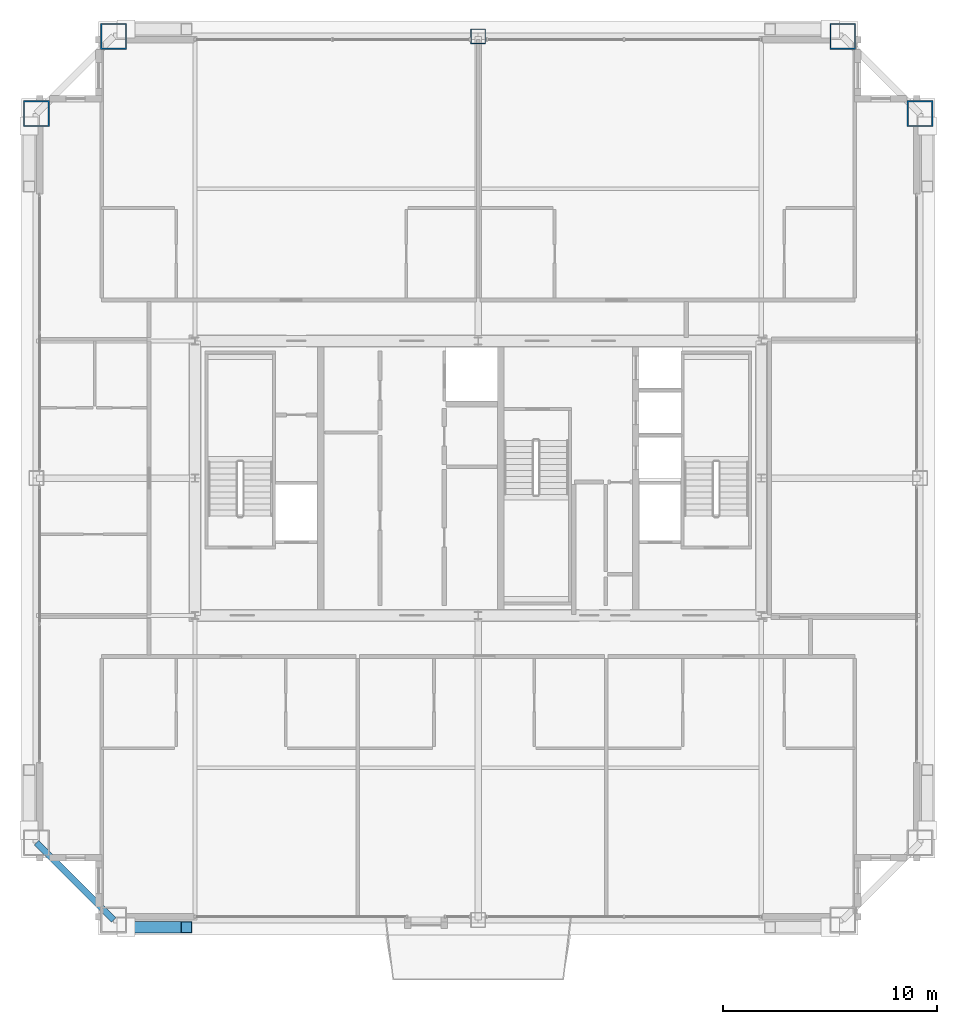
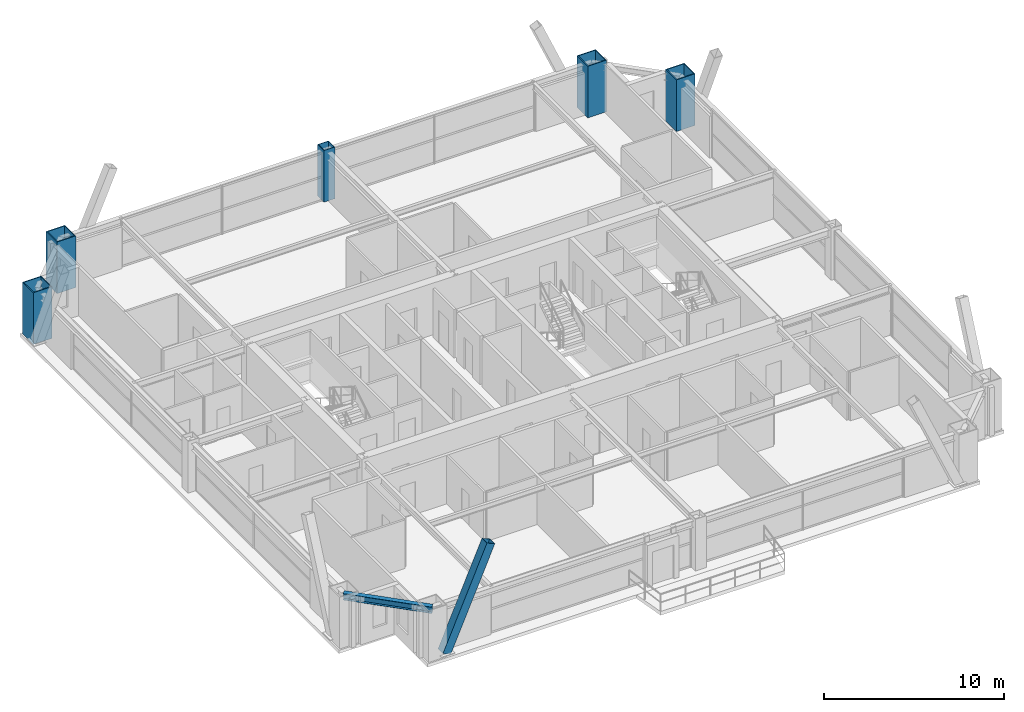
# One storey, part 3 of 35: 5 columns, 1 beam, 1 member.
"""IFC4 building model written with IfcOpenShell, lengths in metres."""

import ifcopenshell
import ifcopenshell.guid

model = None  # the IFC model being written
_history = None  # IfcOwnerHistory: only IFC2X3 demands one
_inside = {}  # id of a spatial element -> (the spatial element, [elements in it])
_under = {}  # id of a project, library or spatial element -> (it, [spatial elements below it])
_declared = {}  # id of a project -> (the project, [libraries it declares])
_typed = {}  # id of a type object -> (the type object, [elements of that type])
_made_of = {}  # id of a material, layer set ... -> (it, [elements and type objects made of it])


def new_model(schema):
    """Start an empty IFC model of exactly this schema.

    Asked for "IFC4X3", IfcOpenShell would pick the latest addendum, in which some entities
    have other attributes; the version numbers below select the first issue.
    IFC2X3 requires an IfcOwnerHistory on every rooted entity: one is made here for all.
    """
    global model, _history
    if schema == "IFC4X3":
        model = ifcopenshell.file(schema_version=(4, 3, 0, 0))
    else:
        model = ifcopenshell.file(schema=schema)
    _inside.clear()
    _under.clear()
    _declared.clear()
    _typed.clear()
    _made_of.clear()
    _history = None
    if model.schema == "IFC2X3":
        org = make("IfcOrganization", Name="unknown")
        user = make(
            "IfcPersonAndOrganization",
            ThePerson=make("IfcPerson", FamilyName="unknown"),
            TheOrganization=org,
        )
        app = make(
            "IfcApplication",
            ApplicationDeveloper=org,
            Version="unknown",
            ApplicationFullName="unknown",
            ApplicationIdentifier="unknown",
        )
        _history = make(
            "IfcOwnerHistory",
            OwningUser=user,
            OwningApplication=app,
            ChangeAction="ADDED",
            CreationDate=0,
        )
    return model


def make(cls, **values):
    """One entity of the class cls with the attributes given. An attribute that is None is left unset."""
    return model.create_entity(
        cls, **{name: value for name, value in values.items() if value is not None}
    )


def rooted(cls, **values):
    """An entity with a GlobalId (a new one), such as an element, a storey or a relation."""
    return make(cls, GlobalId=ifcopenshell.guid.new(), OwnerHistory=_history, **values)


def si_unit(unit_type, name, prefix=None):
    """IfcSIUnit, for example si_unit("LENGTHUNIT", "METRE", prefix="MILLI")."""
    return make("IfcSIUnit", UnitType=unit_type, Prefix=prefix, Name=name)


def assignment(units):
    """IfcUnitAssignment: the units of a project."""
    return None if units is None else make("IfcUnitAssignment", Units=units)


def point(xyz):
    """IfcCartesianPoint."""
    return None if xyz is None else make("IfcCartesianPoint", Coordinates=xyz)


def direction(xyz):
    """IfcDirection."""
    return None if xyz is None else make("IfcDirection", DirectionRatios=xyz)


def frame(location, z_axis=None, x_axis=None):
    """IfcAxis2Placement3D, a coordinate frame: its origin and axes. An axis left out is left unset."""
    return make(
        "IfcAxis2Placement3D",
        Location=point(location),
        Axis=direction(z_axis),
        RefDirection=direction(x_axis),
    )


def frame_2d(location, x_axis=None):
    """IfcAxis2Placement2D, a coordinate frame in the plane: its origin and x axis."""
    return make(
        "IfcAxis2Placement2D", Location=point(location), RefDirection=direction(x_axis)
    )


def origin():
    """The frame at (0, 0, 0) with its axes left unset."""
    return frame((0.0, 0.0, 0.0))


def origin_2d():
    """The frame at (0, 0) in the plane with its x axis left unset."""
    return frame_2d((0.0, 0.0))


def place(relative_to, where):
    """IfcLocalPlacement: puts the frame where relative to a parent placement (None: the world)."""
    return make(
        "IfcLocalPlacement", PlacementRelTo=relative_to, RelativePlacement=where
    )


def context(
    kind, dimensions, precision=None, world=None, true_north=None, identifier=None
):
    """IfcGeometricRepresentationContext, for example the 3D "Model" context."""
    return make(
        "IfcGeometricRepresentationContext",
        ContextIdentifier=identifier,
        ContextType=kind,
        CoordinateSpaceDimension=dimensions,
        Precision=precision,
        WorldCoordinateSystem=world,
        TrueNorth=true_north,
    )


def subcontext(parent, identifier, kind, view, scale=None):
    """IfcGeometricRepresentationSubContext, for example "Body" below "Model"."""
    return make(
        "IfcGeometricRepresentationSubContext",
        ContextIdentifier=identifier,
        ContextType=kind,
        ParentContext=parent,
        TargetScale=scale,
        TargetView=view,
    )


def project(units=None, contexts=None):
    """IfcProject with its units and contexts."""
    return rooted(
        "IfcProject",
        Name="project",
        RepresentationContexts=contexts,
        UnitsInContext=assignment(units),
    )


def spatial(cls, under=None, at=None, **own):
    """A site, building, storey or space (cls), placed at a placement, below another one or the project."""
    s = rooted(cls, ObjectPlacement=at, **own)
    if under is not None:
        _under.setdefault(under.id(), (under, []))[1].append(s)
    return s


def profile(cls, at=None, kind="AREA", **sizes):
    """A parametric profile (cls). Its sizes go by their IFC names, for example OverallWidth=200.0."""
    return make(cls, ProfileType=kind, Position=at, **sizes)


def hollow_rectangle(**sizes):
    """IfcRectangleHollowProfileDef."""
    return profile("IfcRectangleHollowProfileDef", **sizes)


def i_section(**sizes):
    """IfcIShapeProfileDef."""
    return profile("IfcIShapeProfileDef", **sizes)


def extrude(swept, where, along, depth):
    """IfcExtrudedAreaSolid: the profile swept, set in the frame where, extruded along a direction by depth."""
    return make(
        "IfcExtrudedAreaSolid",
        SweptArea=swept,
        Position=where,
        ExtrudedDirection=direction(along),
        Depth=depth,
    )


def shape(context_of_items, identifier, shape_type, items):
    """IfcShapeRepresentation: the items that make up one representation, for example the "Body"."""
    return make(
        "IfcShapeRepresentation",
        ContextOfItems=context_of_items,
        RepresentationIdentifier=identifier,
        RepresentationType=shape_type,
        Items=items,
    )


def source(mapping_origin, context_of_items, identifier, shape_type, items):
    """IfcRepresentationMap: a shape defined once, which mapped items show again and again."""
    return make(
        "IfcRepresentationMap",
        MappingOrigin=mapping_origin,
        MappedRepresentation=shape(context_of_items, identifier, shape_type, items),
    )


def transform(
    local_origin,
    x_axis=None,
    y_axis=None,
    z_axis=None,
    scale=None,
    scale2=None,
    scale3=None,
    uniform=True,
):
    """IfcCartesianTransformationOperator3D, or its non-uniform kind. x_axis, y_axis, z_axis: its Axis1, 2, 3."""
    if uniform:
        return make(
            "IfcCartesianTransformationOperator3D",
            Axis1=direction(x_axis),
            Axis2=direction(y_axis),
            LocalOrigin=point(local_origin),
            Scale=scale,
            Axis3=direction(z_axis),
        )
    return make(
        "IfcCartesianTransformationOperator3DnonUniform",
        Axis1=direction(x_axis),
        Axis2=direction(y_axis),
        LocalOrigin=point(local_origin),
        Scale=scale,
        Axis3=direction(z_axis),
        Scale2=scale2,
        Scale3=scale3,
    )


def mapped(mapping_source, mapping_target):
    """IfcMappedItem: shows the shape of a source again, moved by a transform."""
    return make(
        "IfcMappedItem", MappingSource=mapping_source, MappingTarget=mapping_target
    )


def material(Name=None, Category=None):
    """IfcMaterial."""
    return make("IfcMaterial", Name=Name, Category=Category)


def material_profile(
    of_material, cross_section, Name=None, Category=None, Priority=None
):
    """IfcMaterialProfile: a cross section and its material."""
    return make(
        "IfcMaterialProfile",
        Name=Name,
        Material=of_material,
        Profile=cross_section,
        Priority=Priority,
        Category=Category,
    )


def profile_set(profiles, Name=None, composite=None):
    """IfcMaterialProfileSet."""
    return make(
        "IfcMaterialProfileSet",
        Name=Name,
        MaterialProfiles=profiles,
        CompositeProfile=composite,
    )


def made_of(thing, what):
    """Note that an element or type object is made of a material, layer set ...; save() writes the relation."""
    if what is not None:
        _made_of.setdefault(what.id(), (what, []))[1].append(thing)
    return thing


def type_object(cls, material=None, **own):
    """A type object (cls), such as IfcWallType, which elements share."""
    return made_of(rooted(cls, **own), material)


def element(
    cls,
    number,
    at=None,
    inside=None,
    cuts=None,
    type_object=None,
    material=None,
    context=None,
    identifier="Body",
    shape_type=None,
    held_by="IfcProductDefinitionShape",
    body=None,
    shapes=None,
    **own,
):
    """One element of the class cls, such as IfcWall. Its Tag is "e" and its number.

    at: its placement. inside: the storey or other place that contains it. cuts: it is an
    opening in that element (IfcRelVoidsElement). A single representation is given by context,
    identifier, shape_type and body (its items); several are given by shapes. held_by: the class
    of the entity that holds the representations. save() writes the other relations.
    """
    e = rooted(cls, Tag="e%d" % number, ObjectPlacement=at, **own)
    if body is not None:
        shapes = [shape(context, identifier, shape_type, body)]
    if shapes is not None:
        e.Representation = make(held_by, Representations=shapes)
    if inside is not None:
        _inside.setdefault(inside.id(), (inside, []))[1].append(e)
    if cuts is not None:
        rooted(
            "IfcRelVoidsElement", RelatingBuildingElement=cuts, RelatedOpeningElement=e
        )
    if type_object is not None:
        _typed.setdefault(type_object.id(), (type_object, []))[1].append(e)
    return made_of(e, material)


def aggregate(whole, parts):
    """IfcRelAggregates: a whole, such as a stair, and the parts it consists of."""
    return rooted("IfcRelAggregates", RelatingObject=whole, RelatedObjects=parts)


def save(model, path):
    """Write the relations noted so far, then the file.

    IfcRelAggregates (storeys below a building ...), IfcRelContainedInSpatialStructure (elements
    in a storey), IfcRelDefinesByType, IfcRelAssociatesMaterial and IfcRelDeclares: one each for
    every whole, place, type object, material and project.
    """
    for whole, parts in _under.values():
        aggregate(whole, parts)
    for where, things in _inside.values():
        rooted(
            "IfcRelContainedInSpatialStructure",
            RelatedElements=things,
            RelatingStructure=where,
        )
    for kind, things in _typed.values():
        rooted("IfcRelDefinesByType", RelatedObjects=things, RelatingType=kind)
    for what, things in _made_of.values():
        rooted("IfcRelAssociatesMaterial", RelatedObjects=things, RelatingMaterial=what)
    for by, libraries in _declared.values():
        rooted("IfcRelDeclares", RelatingContext=by, RelatedDefinitions=libraries)
    model.write(path)


model = new_model("IFC4")

# Units and contexts
model_context = context("Model", 3, precision=1e-05, world=origin(), true_north=direction((0.0, 1.0)))
body_context = subcontext(model_context, "Body", "Model", "MODEL_VIEW")
ifc_project = project(units=[si_unit("LENGTHUNIT", "METRE"), si_unit("AREAUNIT", "SQUARE_METRE"), si_unit("VOLUMEUNIT", "CUBIC_METRE"), si_unit("PLANEANGLEUNIT", "RADIAN"), si_unit("MASSUNIT", "GRAM", prefix="KILO"), si_unit("THERMODYNAMICTEMPERATUREUNIT", "KELVIN"), si_unit("POWERUNIT", "WATT")], contexts=[model_context])

# Site, building, storey
site_placement = place(None, origin())
site = spatial("IfcSite", under=ifc_project, at=site_placement, CompositionType="ELEMENT")
building_placement = place(site_placement, origin())
building = spatial("IfcBuilding", under=site, at=building_placement, Name="Yuzanri Waterfront Tower", CompositionType="ELEMENT")
storey_placement = place(building_placement, frame((0.0, 0.0, 271.60009765625)))
storey = spatial("IfcBuildingStorey", under=building, at=storey_placement, Name="L72", CompositionType="ELEMENT", Elevation=271.60009765625)

# Columns
ifc_material_1 = material(Name="Steel Q390GJC", Category="steel")
ifc_material_profile_1 = material_profile(ifc_material_1, hollow_rectangle(XDim=1.199951171875, YDim=1.199951171875, WallThickness=0.054931640625, at=origin_2d()), Name="RHS 1200x1200x55")
ifc_profile_set_1 = profile_set([ifc_material_profile_1], Name="Steel Q390GJC")
column_type_1 = type_object("IfcColumnType", Name="Mega Column Q390GJC RHS 1200x1200x55", PredefinedType="COLUMN", material=ifc_profile_set_1)
shared_shape_1 = source(origin(), body_context, "Body", "SweptSolid", [
    extrude(hollow_rectangle(XDim=1.199951171875, YDim=1.199951171875, WallThickness=0.054931640625, at=origin_2d()), origin(), (0.0, 0.0, 1.0), 3.5),
])
for number, where, z_axis, x_axis, name in (
    (1, (20.0, 46.39990234375, 0.0), (0.0, 0.0, 1.0), (1.0, 0.0, 0.0), "L72 Perimeter Mega Column N1"),
    (2, (54.0, 46.39990234375, 0.0), (0.0, 0.0, 1.0), (1.0, 0.0, 0.0), "L72 Perimeter Mega Column N3"),
    (3, (16.39990234375, 42.800048828125, 0.0), (0.0, 0.0, 1.0), (1.0, 0.0, 0.0), "L72 Perimeter Mega Column W3"),
    (4, (57.60009765625, 42.800048828125, 0.0), (0.0, 0.0, 1.0), (1.0, 0.0, 0.0), "L72 Perimeter Mega Column E3"),
):
    element("IfcColumn", number, at=place(storey_placement, frame(where, z_axis=z_axis, x_axis=x_axis)), inside=storey, type_object=column_type_1, Name=name, PredefinedType="COLUMN", context=body_context, shape_type="MappedRepresentation", body=[
        mapped(shared_shape_1, transform((0.0, 0.0, 0.0), scale=1.0)),
    ])
ifc_material_2 = material(Name="Steel Q355B", Category="steel")
ifc_material_profile_2 = material_profile(ifc_material_2, hollow_rectangle(XDim=0.699951171875, YDim=0.699951171875, WallThickness=0.031982421875, at=origin_2d()), Name="RHS 700x700x32")
ifc_profile_set_2 = profile_set([ifc_material_profile_2], Name="Steel Q355B")
column_type_2 = type_object("IfcColumnType", Name="Frame Column Q355B RHS 700x700x32", PredefinedType="COLUMN", material=ifc_profile_set_2)
shared_shape_2 = source(origin(), body_context, "Body", "SweptSolid", [
    extrude(hollow_rectangle(XDim=0.699951171875, YDim=0.699951171875, WallThickness=0.031982421875, at=origin_2d()), origin(), (0.0, 0.0, 1.0), 3.5),
])
column_placement = place(storey_placement, frame((37.0, 46.39990234375, 0.0), z_axis=(0.0, 0.0, 1.0), x_axis=(1.0, 0.0, 0.0)))
element("IfcColumn", 5, at=column_placement, inside=storey, type_object=column_type_2, Name="L72 Perimeter Frame Column N2", PredefinedType="COLUMN", context=body_context, shape_type="MappedRepresentation", body=[
    mapped(shared_shape_2, transform((0.0, 0.0, 0.0), scale=1.0)),
])

# Beam
ifc_material_3 = material(Name="Steel Q355B", Category="steel")
ifc_material_profile_3 = material_profile(ifc_material_3, i_section(OverallWidth=0.300048828125, OverallDepth=0.43994140625, WebThickness=0.010986328125, FlangeThickness=0.01806640625, at=origin_2d()), Name="HM 440x300x11x18")
ifc_profile_set_3 = profile_set([ifc_material_profile_3], Name="Steel Q355B")
beam_type = type_object("IfcBeamType", Name="Perimeter Spandrel Q355B HM 440x300", PredefinedType="SPANDREL", material=ifc_profile_set_3)
shared_shape_3 = source(origin(), body_context, "Body", "SweptSolid", [
    extrude(i_section(OverallWidth=0.300048828125, OverallDepth=0.43994140625, WebThickness=0.010986328125, FlangeThickness=0.01806640625, at=origin_2d()), origin(), (0.0, 0.0, 1.0), 5.09130859375),
])
beam_placement = place(storey_placement, frame((16.39990234375, 8.800048828125, 3.059814453125), z_axis=(0.707106781187, -0.707106781187, 0.0), x_axis=(0.707106781187, 0.707106781187, 0.0)))
element("IfcBeam", 6, at=beam_placement, inside=storey, type_object=beam_type, Name="L72 Perimeter Spandrel W1-S1", PredefinedType="SPANDREL", context=body_context, shape_type="MappedRepresentation", body=[
    mapped(shared_shape_3, transform((0.0, 0.0, 0.0), scale=1.0)),
])

# Member
ifc_material_4 = material(Name="Steel Q390GJC", Category="steel")
ifc_material_profile_4 = material_profile(ifc_material_4, hollow_rectangle(XDim=0.550048828125, YDim=0.550048828125, WallThickness=0.02490234375, at=origin_2d()), Name="RHS 550x550x25")
ifc_profile_set_4 = profile_set([ifc_material_profile_4], Name="Steel Q390GJC")
member_type = type_object("IfcMemberType", Name="Mega Brace Mid Q390GJC RHS 550x550x25", PredefinedType="BRACE", material=ifc_profile_set_4)
shared_shape_4 = source(origin(), body_context, "Body", "SweptSolid", [
    extrude(hollow_rectangle(XDim=0.550048828125, YDim=0.550048828125, WallThickness=0.02490234375, at=origin_2d()), origin(), (0.0, 0.0, 1.0), 7.085205078125),
])
member_placement = place(storey_placement, frame((20.580078125, 4.860107421875, 0.179931640625), z_axis=(0.397982599681, 0.0, 0.917392963975), x_axis=(0.0, 1.0, 0.0)))
element("IfcMember", 7, at=member_placement, inside=storey, type_object=member_type, Name="L72-L73 Perimeter Mega-Brace S-L", PredefinedType="BRACE", context=body_context, shape_type="MappedRepresentation", body=[
    mapped(shared_shape_4, transform((0.0, 0.0, 0.0), scale=1.0)),
])

save(model, "model.ifc")
